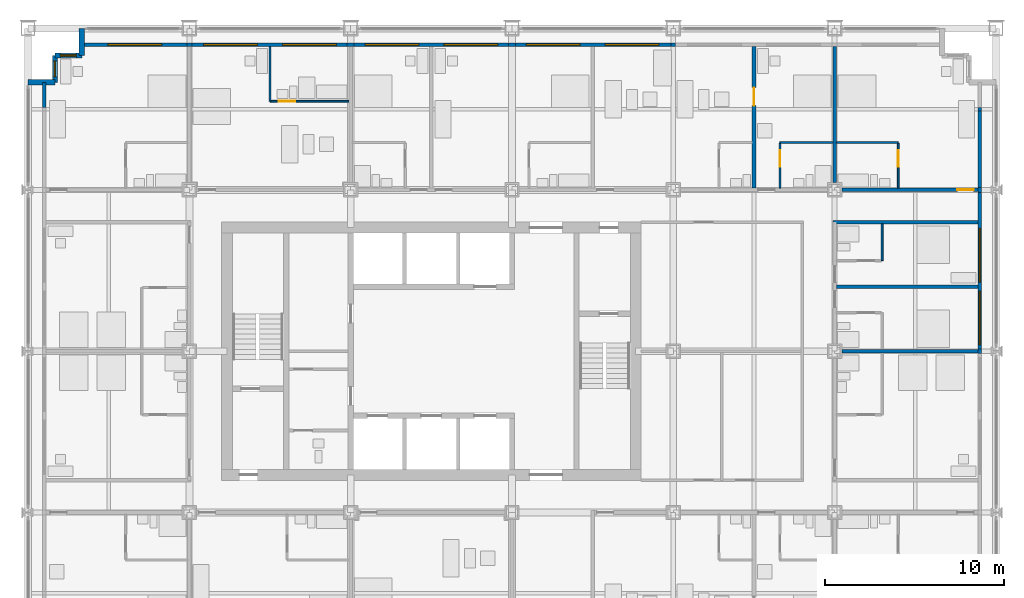
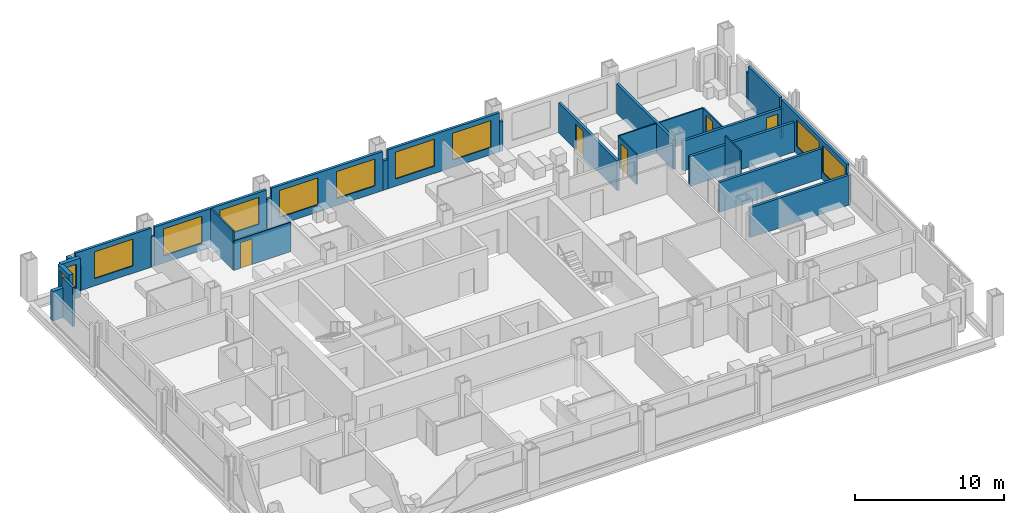
# One storey, part 14 of 18: 31 walls, 11 windows, 5 doors, 16 openings.
"""IFC4 building model written with IfcOpenShell, lengths in metres."""

from ifc_helpers import new_model, si_unit, direction, frame, frame_2d, origin, place, context, subcontext, project, spatial, rectangle, extrude, material, layer, layer_set, type_object, element, fill, save


model = new_model("IFC4")

# Units and contexts
model_context = context("Model", 3, precision=1e-05, world=origin(), true_north=direction((0.0, 1.0)))
body_context = subcontext(model_context, "Body", "Model", "MODEL_VIEW")
ifc_project = project(units=[si_unit("LENGTHUNIT", "METRE"), si_unit("AREAUNIT", "SQUARE_METRE"), si_unit("VOLUMEUNIT", "CUBIC_METRE"), si_unit("PLANEANGLEUNIT", "RADIAN"), si_unit("MASSUNIT", "GRAM", prefix="KILO")], contexts=[model_context])

# Site, building, storey
site_placement = place(None, origin())
site = spatial("IfcSite", under=ifc_project, at=site_placement, CompositionType="ELEMENT")
building_placement = place(site_placement, origin())
building = spatial("IfcBuilding", under=site, at=building_placement, Name="Loomwork Tower", CompositionType="ELEMENT")
storey_placement = place(building_placement, frame((0.0, 0.0, 79.0)))
storey = spatial("IfcBuildingStorey", under=building, at=storey_placement, Name="L20", CompositionType="ELEMENT", Elevation=79.0)

# Wall, opening, door
ifc_material_1 = material(Name="Gypsum board on steel studs, one-hour", Category="steel")
ifc_layer_1 = layer(ifc_material_1, 0.199951171875)
ifc_layer_set_1 = layer_set([ifc_layer_1], Name="Corridor wall 200")
wall_type_1 = type_object("IfcWallType", Name="Corridor wall 200", PredefinedType="PARTITIONING", material=ifc_layer_set_1)
wall_1_placement = place(storey_placement, frame((45.39990234375, 27.0, 0.0), z_axis=(0.0, 0.0, 1.0), x_axis=(1.0, 0.0, 0.0)))
wall_1 = element("IfcWall", 1, at=wall_1_placement, inside=storey, type_object=wall_type_1, Name="North corridor wall 6", PredefinedType="PARTITIONING", context=body_context, shape_type="SweptSolid", body=[
    extrude(rectangle(XDim=7.60009765625, YDim=0.199951171875, at=frame_2d((3.800048828125, 0.0))), origin(), (0.0, 0.0, 1.0), 2.43798828125),
])
opening_1_placement = place(wall_1_placement, frame((6.449951171875, 0.0, 0.0)))
opening_1 = element("IfcOpeningElement", 2, at=opening_1_placement, cuts=wall_1, Name="Opening D1", PredefinedType="OPENING", context=body_context, shape_type="SweptSolid", body=[
    extrude(rectangle(XDim=0.89990234375, YDim=2.10009765625, at=frame_2d((0.449951171875, 1.050048828125))), frame((0.0, 0.10986328125, 0.0), z_axis=(0.0, -1.0, 0.0), x_axis=(1.0, 0.0, 0.0)), (0.0, 0.0, 1.0), 0.219970703125),
])
ifc_material_2 = material(Name="Hollow metal door and frame")
door_type_1 = type_object("IfcDoorType", Name="Guest room entry door 900", OperationType="SINGLE_SWING_LEFT", PredefinedType="DOOR", material=ifc_material_2)
door_1_placement = place(opening_1_placement, origin())
door_1 = element("IfcDoor", 3, at=door_1_placement, inside=storey, type_object=door_type_1, Name="Guest room entry door L20 13", OperationType="SINGLE_SWING_RIGHT", OverallHeight=2.10009765625, OverallWidth=0.89990234375, PredefinedType="DOOR", context=body_context, shape_type="SweptSolid", body=[
    extrude(rectangle(XDim=0.89990234375, YDim=2.10009765625, at=frame_2d((0.449951171875, 1.050048828125))), frame((0.0, 0.02490234375, 0.0), z_axis=(0.0, -1.0, 0.0), x_axis=(1.0, 0.0, 0.0)), (0.0, 0.0, 1.0), 0.050048828125),
])
fill(opening_1, door_1)

# Wall
wall_2_placement = place(storey_placement, frame((44.89990234375, 25.199951171875, 0.0), z_axis=(0.0, 0.0, 1.0), x_axis=(1.0, 0.0, 0.0)))
element("IfcWall", 4, at=wall_2_placement, inside=storey, type_object=wall_type_1, Name="East band end wall N", PredefinedType="PARTITIONING", context=body_context, shape_type="SweptSolid", body=[
    extrude(rectangle(XDim=8.10009765625, YDim=0.199951171875, at=frame_2d((4.050048828125, 0.0))), origin(), (0.0, 0.0, 1.0), 2.43798828125),
])

# Wall, opening, door
ifc_material_3 = material(Name="Cement board on steel studs", Category="steel")
ifc_layer_2 = layer(ifc_material_3, 0.10009765625)
ifc_layer_set_2 = layer_set([ifc_layer_2], Name="En-suite partition 100")
wall_type_2 = type_object("IfcWallType", Name="En-suite partition 100", PredefinedType="PARTITIONING", material=ifc_layer_set_2)
wall_3_placement = place(storey_placement, frame((13.5, 31.949951171875, 0.0), z_axis=(0.0, 0.0, 1.0), x_axis=(1.0, 0.0, 0.0)))
wall_3 = element("IfcWall", 5, at=wall_3_placement, inside=storey, type_object=wall_type_2, Name="Spa bathroom wall L20 room 8", PredefinedType="PARTITIONING", context=body_context, shape_type="SweptSolid", body=[
    extrude(rectangle(XDim=4.39990234375, YDim=0.10009765625, at=frame_2d((2.199951171875, 0.0))), origin(), (0.0, 0.0, 1.0), 2.404052734375),
])
opening_2_placement = place(wall_3_placement, frame((0.5, 0.0, 0.0)))
opening_2 = element("IfcOpeningElement", 6, at=opening_2_placement, cuts=wall_3, Name="Opening D2", PredefinedType="OPENING", context=body_context, shape_type="SweptSolid", body=[
    extrude(rectangle(XDim=0.89990234375, YDim=2.10009765625, at=frame_2d((0.449951171875, 1.050048828125))), frame((0.0, 0.06005859375, 0.0), z_axis=(0.0, -1.0, 0.0), x_axis=(1.0, 0.0, 0.0)), (0.0, 0.0, 1.0), 0.1201171875),
])
ifc_material_4 = material(Name="Hollow metal door and frame")
door_type_2 = type_object("IfcDoorType", Name="En-suite door 900", OperationType="SINGLE_SWING_LEFT", PredefinedType="DOOR", material=ifc_material_4)
door_2_placement = place(opening_2_placement, origin())
door_2 = element("IfcDoor", 7, at=door_2_placement, inside=storey, type_object=door_type_2, Name="Spa bathroom door room 8", OperationType="SINGLE_SWING_LEFT", OverallHeight=2.10009765625, OverallWidth=0.89990234375, PredefinedType="DOOR", context=body_context, shape_type="SweptSolid", body=[
    extrude(rectangle(XDim=0.89990234375, YDim=2.10009765625, at=frame_2d((0.449951171875, 1.050048828125))), frame((0.0, 0.02490234375, 0.0), z_axis=(0.0, -1.0, 0.0), x_axis=(1.0, 0.0, 0.0)), (0.0, 0.0, 1.0), 0.050048828125),
])
fill(opening_2, door_2)

# Walls
wall_4_placement = place(storey_placement, frame((13.5, 31.949951171875, 0.0), z_axis=(0.0, 0.0, 1.0), x_axis=(0.0, 1.0, 0.0)))
element("IfcWall", 8, at=wall_4_placement, inside=storey, type_object=wall_type_2, Name="Spa bathroom side wall L20 room 8", PredefinedType="PARTITIONING", context=body_context, shape_type="SweptSolid", body=[
    extrude(rectangle(XDim=3.050048828125, YDim=0.10009765625, at=frame_2d((1.52490234375, 0.0))), origin(), (0.0, 0.0, 1.0), 3.199951171875),
])
wall_5_placement = place(storey_placement, frame((41.949951171875, 29.64990234375, 0.0), z_axis=(0.0, 0.0, 1.0), x_axis=(1.0, 0.0, 0.0)))
element("IfcWall", 9, at=wall_5_placement, inside=storey, type_object=wall_type_2, Name="En-suite wall L20 room 12", PredefinedType="PARTITIONING", context=body_context, shape_type="SweptSolid", body=[
    extrude(rectangle(XDim=2.949951171875, YDim=0.10009765625, at=frame_2d((1.47509765625, 0.0))), origin(), (0.0, 0.0, 1.0), 2.43798828125),
])

# Wall, opening, door
wall_6_placement = place(storey_placement, frame((41.949951171875, 27.10009765625, 0.0), z_axis=(0.0, 0.0, 1.0), x_axis=(0.0, 1.0, 0.0)))
wall_6 = element("IfcWall", 10, at=wall_6_placement, inside=storey, type_object=wall_type_2, Name="En-suite side wall L20 room 12", PredefinedType="PARTITIONING", context=body_context, shape_type="SweptSolid", body=[
    extrude(rectangle(XDim=2.5, YDim=0.10009765625, at=frame_2d((1.25, 0.0))), origin(), (0.0, 0.0, 1.0), 2.43798828125),
])
opening_3_placement = place(wall_6_placement, frame((1.199951171875, 0.0, 0.0)))
opening_3 = element("IfcOpeningElement", 11, at=opening_3_placement, cuts=wall_6, Name="Opening D2", PredefinedType="OPENING", context=body_context, shape_type="SweptSolid", body=[
    extrude(rectangle(XDim=0.89990234375, YDim=2.10009765625, at=frame_2d((0.449951171875, 1.050048828125))), frame((0.0, 0.06005859375, 0.0), z_axis=(0.0, -1.0, 0.0), x_axis=(1.0, 0.0, 0.0)), (0.0, 0.0, 1.0), 0.1201171875),
])
door_3_placement = place(opening_3_placement, frame((0.89990234375, 0.0, 0.0), z_axis=(0.0, 0.0, 1.0), x_axis=(-1.0, 0.0, 0.0)))
door_3 = element("IfcDoor", 12, at=door_3_placement, inside=storey, type_object=door_type_2, Name="En-suite door room 12", OperationType="SINGLE_SWING_LEFT", OverallHeight=2.10009765625, OverallWidth=0.89990234375, PredefinedType="DOOR", context=body_context, shape_type="SweptSolid", body=[
    extrude(rectangle(XDim=0.89990234375, YDim=2.10009765625, at=frame_2d((0.449951171875, 1.050048828125))), frame((0.0, 0.02490234375, 0.0), z_axis=(0.0, -1.0, 0.0), x_axis=(1.0, 0.0, 0.0)), (0.0, 0.0, 1.0), 0.050048828125),
])
fill(opening_3, door_3)

# Wall
wall_7_placement = place(storey_placement, frame((45.10009765625, 29.64990234375, 0.0), z_axis=(0.0, 0.0, 1.0), x_axis=(1.0, 0.0, 0.0)))
element("IfcWall", 13, at=wall_7_placement, inside=storey, type_object=wall_type_2, Name="En-suite wall L20 room 13", PredefinedType="PARTITIONING", context=body_context, shape_type="SweptSolid", body=[
    extrude(rectangle(XDim=3.449951171875, YDim=0.10009765625, at=frame_2d((1.72509765625, 0.0))), origin(), (0.0, 0.0, 1.0), 2.43798828125),
])

# Wall, opening, door
wall_8_placement = place(storey_placement, frame((48.550048828125, 27.10009765625, 0.0), z_axis=(0.0, 0.0, 1.0), x_axis=(0.0, 1.0, 0.0)))
wall_8 = element("IfcWall", 14, at=wall_8_placement, inside=storey, type_object=wall_type_2, Name="En-suite side wall L20 room 13", PredefinedType="PARTITIONING", context=body_context, shape_type="SweptSolid", body=[
    extrude(rectangle(XDim=2.5, YDim=0.10009765625, at=frame_2d((1.25, 0.0))), origin(), (0.0, 0.0, 1.0), 2.43798828125),
])
opening_4_placement = place(wall_8_placement, frame((1.199951171875, 0.0, 0.0)))
opening_4 = element("IfcOpeningElement", 15, at=opening_4_placement, cuts=wall_8, Name="Opening D2", PredefinedType="OPENING", context=body_context, shape_type="SweptSolid", body=[
    extrude(rectangle(XDim=0.89990234375, YDim=2.10009765625, at=frame_2d((0.449951171875, 1.050048828125))), frame((0.0, 0.06005859375, 0.0), z_axis=(0.0, -1.0, 0.0), x_axis=(1.0, 0.0, 0.0)), (0.0, 0.0, 1.0), 0.1201171875),
])
door_4_placement = place(opening_4_placement, origin())
door_4 = element("IfcDoor", 16, at=door_4_placement, inside=storey, type_object=door_type_2, Name="En-suite door room 13", OperationType="SINGLE_SWING_RIGHT", OverallHeight=2.10009765625, OverallWidth=0.89990234375, PredefinedType="DOOR", context=body_context, shape_type="SweptSolid", body=[
    extrude(rectangle(XDim=0.89990234375, YDim=2.10009765625, at=frame_2d((0.449951171875, 1.050048828125))), frame((0.0, 0.02490234375, 0.0), z_axis=(0.0, -1.0, 0.0), x_axis=(1.0, 0.0, 0.0)), (0.0, 0.0, 1.0), 0.050048828125),
])
fill(opening_4, door_4)

# Wall
wall_9_placement = place(storey_placement, frame((47.64990234375, 23.050048828125, 0.0), z_axis=(0.0, 0.0, 1.0), x_axis=(0.0, 1.0, 0.0)))
element("IfcWall", 17, at=wall_9_placement, inside=storey, type_object=wall_type_2, Name="En-suite wall L20 room 18", PredefinedType="PARTITIONING", context=body_context, shape_type="SweptSolid", body=[
    extrude(rectangle(XDim=2.050048828125, YDim=0.10009765625, at=frame_2d((1.02490234375, 0.0))), origin(), (0.0, 0.0, 1.0), 3.199951171875),
])

# Wall, opening, door
ifc_material_5 = material(Name="Gypsum board on steel studs, acoustic", Category="steel")
ifc_layer_3 = layer(ifc_material_5, 0.199951171875)
ifc_layer_set_3 = layer_set([ifc_layer_3], Name="Guest room party wall 200")
wall_type_3 = type_object("IfcWallType", Name="Guest room party wall 200", PredefinedType="PARTITIONING", material=ifc_layer_set_3)
wall_10_placement = place(storey_placement, frame((40.5, 27.10009765625, 0.0), z_axis=(0.0, 0.0, 1.0), x_axis=(0.0, 1.0, 0.0)))
wall_10 = element("IfcWall", 18, at=wall_10_placement, inside=storey, type_object=wall_type_3, Name="Guest room party wall N 40.5", PredefinedType="PARTITIONING", context=body_context, shape_type="SweptSolid", body=[
    extrude(rectangle(XDim=7.89990234375, YDim=0.199951171875, at=frame_2d((3.949951171875, 0.0))), origin(), (0.0, 0.0, 1.0), 2.43798828125),
])
opening_5_placement = place(wall_10_placement, frame((4.60009765625, 0.0, 0.0)))
opening_5 = element("IfcOpeningElement", 19, at=opening_5_placement, cuts=wall_10, Name="Opening D7", PredefinedType="OPENING", context=body_context, shape_type="SweptSolid", body=[
    extrude(rectangle(XDim=1.0, YDim=2.10009765625, at=frame_2d((0.5, 1.050048828125))), frame((0.0, 0.10986328125, 0.0), z_axis=(0.0, -1.0, 0.0), x_axis=(1.0, 0.0, 0.0)), (0.0, 0.0, 1.0), 0.219970703125),
])
ifc_material_6 = material(Name="Hollow metal door and frame")
door_type_3 = type_object("IfcDoorType", Name="Room door 1000", OperationType="SINGLE_SWING_LEFT", PredefinedType="DOOR", material=ifc_material_6)
door_5_placement = place(opening_5_placement, frame((1.0, 0.0, 0.0), z_axis=(0.0, 0.0, 1.0), x_axis=(-1.0, 0.0, 0.0)))
door_5 = element("IfcDoor", 20, at=door_5_placement, inside=storey, type_object=door_type_3, Name="Suite connecting door L20 N 40.5", OperationType="SINGLE_SWING_RIGHT", OverallHeight=2.10009765625, OverallWidth=1.0, PredefinedType="DOOR", context=body_context, shape_type="SweptSolid", body=[
    extrude(rectangle(XDim=1.0, YDim=2.10009765625, at=frame_2d((0.5, 1.050048828125))), frame((0.0, 0.02490234375, 0.0), z_axis=(0.0, -1.0, 0.0), x_axis=(1.0, 0.0, 0.0)), (0.0, 0.0, 1.0), 0.050048828125),
])
fill(opening_5, door_5)

# Walls
for number, where, z_axis, x_axis, name in (
    (21, (45.0, 27.39990234375, 0.0), (0.0, 0.0, 1.0), (0.0, 1.0, 0.0), "Guest room party wall N 45"),
    (22, (45.39990234375, 18.0, 0.0), (0.0, 0.0, 1.0), (1.0, 0.0, 0.0), "Guest room party wall E 18"),
):
    element("IfcWall", number, at=place(storey_placement, frame(where, z_axis=z_axis, x_axis=x_axis)), inside=storey, type_object=wall_type_3, Name=name, PredefinedType="PARTITIONING", context=body_context, shape_type="SweptSolid", body=[
        extrude(rectangle(XDim=7.60009765625, YDim=0.199951171875, at=frame_2d((3.800048828125, 0.0))), origin(), (0.0, 0.0, 1.0), 2.43798828125),
    ])
wall_11_placement = place(storey_placement, frame((45.10009765625, 21.60009765625, 0.0), z_axis=(0.0, 0.0, 1.0), x_axis=(1.0, 0.0, 0.0)))
element("IfcWall", 23, at=wall_11_placement, inside=storey, type_object=wall_type_3, Name="Guest room party wall E 21.6", PredefinedType="PARTITIONING", context=body_context, shape_type="SweptSolid", body=[
    extrude(rectangle(XDim=7.89990234375, YDim=0.199951171875, at=frame_2d((3.949951171875, 0.0))), origin(), (0.0, 0.0, 1.0), 2.43798828125),
])

# Wall, opening, window
ifc_material_7 = material(Name="Insulated steel stud wall with gypsum lining", Category="steel")
ifc_layer_4 = layer(ifc_material_7, 0.199951171875)
ifc_layer_set_4 = layer_set([ifc_layer_4], Name="Inner skin wall 200")
wall_type_4 = type_object("IfcWallType", Name="Inner skin wall 200", PredefinedType="SOLIDWALL", material=ifc_layer_set_4)
wall_12_placement = place(storey_placement, frame((3.0, 35.10009765625, 0.0), z_axis=(0.0, 0.0, 1.0), x_axis=(1.0, 0.0, 0.0)))
wall_12 = element("IfcWall", 24, at=wall_12_placement, inside=storey, type_object=wall_type_4, Name="Inner skin wall N", PredefinedType="SOLIDWALL", context=body_context, shape_type="SweptSolid", body=[
    extrude(rectangle(XDim=5.86474609375, YDim=0.199951171875, at=frame_2d((2.932373046875, 0.0))), origin(), (0.0, 0.0, 1.0), 3.199951171875),
])
opening_6_placement = place(wall_12_placement, frame((1.449951171875, 0.0, 0.60009765625)))
opening_6 = element("IfcOpeningElement", 25, at=opening_6_placement, cuts=wall_12, Name="Opening CH1", PredefinedType="OPENING", context=body_context, shape_type="SweptSolid", body=[
    extrude(rectangle(XDim=3.0, YDim=2.199951171875, at=frame_2d((1.5, 1.10009765625))), frame((0.0, 0.10986328125, 0.0), z_axis=(0.0, -1.0, 0.0), x_axis=(1.0, 0.0, 0.0)), (0.0, 0.0, 1.0), 0.219970703125),
])
ifc_material_8 = material(Name="Aluminium frame with clear insulated glass", Category="aluminium")
window_type_1 = type_object("IfcWindowType", Name="Chicago window 3000", PartitioningType="TRIPLE_PANEL_VERTICAL", PredefinedType="WINDOW", material=ifc_material_8)
window_1_placement = place(opening_6_placement, origin())
window_1 = element("IfcWindow", 26, at=window_1_placement, inside=storey, type_object=window_type_1, Name="Chicago window L20 bay 7", OverallHeight=2.199951171875, OverallWidth=3.0, PartitioningType="TRIPLE_PANEL_VERTICAL", PredefinedType="WINDOW", context=body_context, shape_type="SweptSolid", body=[
    extrude(rectangle(XDim=3.0, YDim=2.199951171875, at=frame_2d((1.5, 1.10009765625))), frame((0.0, 0.030029296875, 0.0), z_axis=(0.0, -1.0, 0.0), x_axis=(1.0, 0.0, 0.0)), (0.0, 0.0, 1.0), 0.06005859375),
])
fill(opening_6, window_1)

# Walls
wall_13_placement = place(storey_placement, frame((0.89990234375, 31.607421875, 0.0), z_axis=(0.0, 0.0, 1.0), x_axis=(0.0, 1.0, 0.0)))
element("IfcWall", 27, at=wall_13_placement, inside=storey, type_object=wall_type_4, Name="Inner skin wall W bay 11", PredefinedType="SOLIDWALL", context=body_context, shape_type="SweptSolid", body=[
    extrude(rectangle(XDim=1.392578125, YDim=0.199951171875, at=frame_2d((0.6962890625, 0.0))), origin(), (0.0, 0.0, 1.0), 3.199951171875),
])
wall_14_placement = place(storey_placement, frame((8.86474609375, 35.10009765625, 0.0), z_axis=(0.0, 0.0, 1.0), x_axis=(1.0, 0.0, 0.0)))
element("IfcWall", 28, at=wall_14_placement, inside=storey, type_object=wall_type_4, Name="Inner skin wall N bay 2", PredefinedType="SOLIDWALL", context=body_context, shape_type="SweptSolid", body=[
    extrude(rectangle(XDim=0.2705078125, YDim=0.199951171875, at=frame_2d((0.13525390625, 0.0))), origin(), (0.0, 0.0, 1.0), 2.43798828125),
])

# Wall, openings, windows
wall_15_placement = place(storey_placement, frame((9.13525390625, 35.10009765625, 0.0), z_axis=(0.0, 0.0, 1.0), x_axis=(1.0, 0.0, 0.0)))
wall_15 = element("IfcWall", 29, at=wall_15_placement, inside=storey, type_object=wall_type_4, Name="Inner skin wall N bay 3", PredefinedType="SOLIDWALL", context=body_context, shape_type="SweptSolid", body=[
    extrude(rectangle(XDim=8.6708984375, YDim=0.199951171875, at=frame_2d((4.33544921875, 0.0))), origin(), (0.0, 0.0, 1.0), 3.199951171875),
])
opening_7_placement = place(wall_15_placement, frame((0.664794921875, 0.0, 0.60009765625)))
opening_7 = element("IfcOpeningElement", 30, at=opening_7_placement, cuts=wall_15, Name="Opening CH1", PredefinedType="OPENING", context=body_context, shape_type="SweptSolid", body=[
    extrude(rectangle(XDim=3.0, YDim=2.199951171875, at=frame_2d((1.5, 1.10009765625))), frame((0.0, 0.10986328125, 0.0), z_axis=(0.0, -1.0, 0.0), x_axis=(1.0, 0.0, 0.0)), (0.0, 0.0, 1.0), 0.219970703125),
])
opening_8_placement = place(wall_15_placement, frame((5.064697265625, 0.0, 0.60009765625)))
opening_8 = element("IfcOpeningElement", 31, at=opening_8_placement, cuts=wall_15, Name="Opening CH1", PredefinedType="OPENING", context=body_context, shape_type="SweptSolid", body=[
    extrude(rectangle(XDim=3.0, YDim=2.199951171875, at=frame_2d((1.5, 1.10009765625))), frame((0.0, 0.10986328125, 0.0), z_axis=(0.0, -1.0, 0.0), x_axis=(1.0, 0.0, 0.0)), (0.0, 0.0, 1.0), 0.219970703125),
])
window_2_placement = place(opening_7_placement, origin())
window_2 = element("IfcWindow", 32, at=window_2_placement, inside=storey, type_object=window_type_1, Name="Chicago window L20 bay 8", OverallHeight=2.199951171875, OverallWidth=3.0, PartitioningType="TRIPLE_PANEL_VERTICAL", PredefinedType="WINDOW", context=body_context, shape_type="SweptSolid", body=[
    extrude(rectangle(XDim=3.0, YDim=2.199951171875, at=frame_2d((1.5, 1.10009765625))), frame((0.0, 0.030029296875, 0.0), z_axis=(0.0, -1.0, 0.0), x_axis=(1.0, 0.0, 0.0)), (0.0, 0.0, 1.0), 0.06005859375),
])
fill(opening_7, window_2)
window_3_placement = place(opening_8_placement, origin())
window_3 = element("IfcWindow", 33, at=window_3_placement, inside=storey, type_object=window_type_1, Name="Chicago window L20 bay 8", OverallHeight=2.199951171875, OverallWidth=3.0, PartitioningType="TRIPLE_PANEL_VERTICAL", PredefinedType="WINDOW", context=body_context, shape_type="SweptSolid", body=[
    extrude(rectangle(XDim=3.0, YDim=2.199951171875, at=frame_2d((1.5, 1.10009765625))), frame((0.0, 0.030029296875, 0.0), z_axis=(0.0, -1.0, 0.0), x_axis=(1.0, 0.0, 0.0)), (0.0, 0.0, 1.0), 0.06005859375),
])
fill(opening_8, window_3)

# Wall
wall_16_placement = place(storey_placement, frame((17.80615234375, 35.10009765625, 0.0), z_axis=(0.0, 0.0, 1.0), x_axis=(1.0, 0.0, 0.0)))
element("IfcWall", 34, at=wall_16_placement, inside=storey, type_object=wall_type_4, Name="Inner skin wall N bay 4", PredefinedType="SOLIDWALL", context=body_context, shape_type="SweptSolid", body=[
    extrude(rectangle(XDim=0.3876953125, YDim=0.199951171875, at=frame_2d((0.19384765625, 0.0))), origin(), (0.0, 0.0, 1.0), 2.404052734375),
])

# Wall, openings, windows
wall_17_placement = place(storey_placement, frame((18.19384765625, 35.10009765625, 0.0), z_axis=(0.0, 0.0, 1.0), x_axis=(1.0, 0.0, 0.0)))
wall_17 = element("IfcWall", 35, at=wall_17_placement, inside=storey, type_object=wall_type_4, Name="Inner skin wall N bay 5", PredefinedType="SOLIDWALL", context=body_context, shape_type="SweptSolid", body=[
    extrude(rectangle(XDim=8.6123046875, YDim=0.199951171875, at=frame_2d((4.30615234375, 0.0))), origin(), (0.0, 0.0, 1.0), 3.199951171875),
])
opening_9_placement = place(wall_17_placement, frame((0.606201171875, 0.0, 0.60009765625)))
opening_9 = element("IfcOpeningElement", 36, at=opening_9_placement, cuts=wall_17, Name="Opening CH1", PredefinedType="OPENING", context=body_context, shape_type="SweptSolid", body=[
    extrude(rectangle(XDim=3.0, YDim=2.199951171875, at=frame_2d((1.5, 1.10009765625))), frame((0.0, 0.10986328125, 0.0), z_axis=(0.0, -1.0, 0.0), x_axis=(1.0, 0.0, 0.0)), (0.0, 0.0, 1.0), 0.219970703125),
])
opening_10_placement = place(wall_17_placement, frame((5.006103515625, 0.0, 0.60009765625)))
opening_10 = element("IfcOpeningElement", 37, at=opening_10_placement, cuts=wall_17, Name="Opening CH1", PredefinedType="OPENING", context=body_context, shape_type="SweptSolid", body=[
    extrude(rectangle(XDim=3.0, YDim=2.199951171875, at=frame_2d((1.5, 1.10009765625))), frame((0.0, 0.10986328125, 0.0), z_axis=(0.0, -1.0, 0.0), x_axis=(1.0, 0.0, 0.0)), (0.0, 0.0, 1.0), 0.219970703125),
])
window_4_placement = place(opening_9_placement, origin())
window_4 = element("IfcWindow", 38, at=window_4_placement, inside=storey, type_object=window_type_1, Name="Chicago window L20 bay 9", OverallHeight=2.199951171875, OverallWidth=3.0, PartitioningType="TRIPLE_PANEL_VERTICAL", PredefinedType="WINDOW", context=body_context, shape_type="SweptSolid", body=[
    extrude(rectangle(XDim=3.0, YDim=2.199951171875, at=frame_2d((1.5, 1.10009765625))), frame((0.0, 0.030029296875, 0.0), z_axis=(0.0, -1.0, 0.0), x_axis=(1.0, 0.0, 0.0)), (0.0, 0.0, 1.0), 0.06005859375),
])
fill(opening_9, window_4)
window_5_placement = place(opening_10_placement, origin())
window_5 = element("IfcWindow", 39, at=window_5_placement, inside=storey, type_object=window_type_1, Name="Chicago window L20 bay 9", OverallHeight=2.199951171875, OverallWidth=3.0, PartitioningType="TRIPLE_PANEL_VERTICAL", PredefinedType="WINDOW", context=body_context, shape_type="SweptSolid", body=[
    extrude(rectangle(XDim=3.0, YDim=2.199951171875, at=frame_2d((1.5, 1.10009765625))), frame((0.0, 0.030029296875, 0.0), z_axis=(0.0, -1.0, 0.0), x_axis=(1.0, 0.0, 0.0)), (0.0, 0.0, 1.0), 0.06005859375),
])
fill(opening_10, window_5)

# Wall
wall_18_placement = place(storey_placement, frame((26.80615234375, 35.10009765625, 0.0), z_axis=(0.0, 0.0, 1.0), x_axis=(1.0, 0.0, 0.0)))
element("IfcWall", 40, at=wall_18_placement, inside=storey, type_object=wall_type_4, Name="Inner skin wall N bay 6", PredefinedType="SOLIDWALL", context=body_context, shape_type="SweptSolid", body=[
    extrude(rectangle(XDim=0.3876953125, YDim=0.199951171875, at=frame_2d((0.19384765625, 0.0))), origin(), (0.0, 0.0, 1.0), 2.404052734375),
])

# Wall, openings, windows
wall_19_placement = place(storey_placement, frame((27.19384765625, 35.10009765625, 0.0), z_axis=(0.0, 0.0, 1.0), x_axis=(1.0, 0.0, 0.0)))
wall_19 = element("IfcWall", 41, at=wall_19_placement, inside=storey, type_object=wall_type_4, Name="Inner skin wall N bay 7", PredefinedType="SOLIDWALL", context=body_context, shape_type="SweptSolid", body=[
    extrude(rectangle(XDim=8.670654296875, YDim=0.199951171875, at=frame_2d((4.33544921875, 0.0))), origin(), (0.0, 0.0, 1.0), 3.199951171875),
])
opening_11_placement = place(wall_19_placement, frame((0.606201171875, 0.0, 0.60009765625)))
opening_11 = element("IfcOpeningElement", 42, at=opening_11_placement, cuts=wall_19, Name="Opening CH1", PredefinedType="OPENING", context=body_context, shape_type="SweptSolid", body=[
    extrude(rectangle(XDim=3.0, YDim=2.199951171875, at=frame_2d((1.5, 1.10009765625))), frame((0.0, 0.10986328125, 0.0), z_axis=(0.0, -1.0, 0.0), x_axis=(1.0, 0.0, 0.0)), (0.0, 0.0, 1.0), 0.219970703125),
])
opening_12_placement = place(wall_19_placement, frame((5.006103515625, 0.0, 0.60009765625)))
opening_12 = element("IfcOpeningElement", 43, at=opening_12_placement, cuts=wall_19, Name="Opening CH1", PredefinedType="OPENING", context=body_context, shape_type="SweptSolid", body=[
    extrude(rectangle(XDim=3.0, YDim=2.199951171875, at=frame_2d((1.5, 1.10009765625))), frame((0.0, 0.10986328125, 0.0), z_axis=(0.0, -1.0, 0.0), x_axis=(1.0, 0.0, 0.0)), (0.0, 0.0, 1.0), 0.219970703125),
])
window_6_placement = place(opening_11_placement, origin())
window_6 = element("IfcWindow", 44, at=window_6_placement, inside=storey, type_object=window_type_1, Name="Chicago window L20 bay 10", OverallHeight=2.199951171875, OverallWidth=3.0, PartitioningType="TRIPLE_PANEL_VERTICAL", PredefinedType="WINDOW", context=body_context, shape_type="SweptSolid", body=[
    extrude(rectangle(XDim=3.0, YDim=2.199951171875, at=frame_2d((1.5, 1.10009765625))), frame((0.0, 0.030029296875, 0.0), z_axis=(0.0, -1.0, 0.0), x_axis=(1.0, 0.0, 0.0)), (0.0, 0.0, 1.0), 0.06005859375),
])
fill(opening_11, window_6)
window_7_placement = place(opening_12_placement, origin())
window_7 = element("IfcWindow", 45, at=window_7_placement, inside=storey, type_object=window_type_1, Name="Chicago window L20 bay 10", OverallHeight=2.199951171875, OverallWidth=3.0, PartitioningType="TRIPLE_PANEL_VERTICAL", PredefinedType="WINDOW", context=body_context, shape_type="SweptSolid", body=[
    extrude(rectangle(XDim=3.0, YDim=2.199951171875, at=frame_2d((1.5, 1.10009765625))), frame((0.0, 0.030029296875, 0.0), z_axis=(0.0, -1.0, 0.0), x_axis=(1.0, 0.0, 0.0)), (0.0, 0.0, 1.0), 0.06005859375),
])
fill(opening_12, window_7)

# Walls
for number, where, z_axis, x_axis, name in (
    (46, (35.864501953125, 35.10009765625, 0.0), (0.0, 0.0, 1.0), (1.0, 0.0, 0.0), "Inner skin wall N bay 8"),
    (47, (53.10009765625, 17.864501953125, 0.0), (0.0, 0.0, 1.0), (0.0, 1.0, 0.0), "Inner skin wall E bay 6"),
):
    element("IfcWall", number, at=place(storey_placement, frame(where, z_axis=z_axis, x_axis=x_axis)), inside=storey, type_object=wall_type_4, Name=name, PredefinedType="SOLIDWALL", context=body_context, shape_type="SweptSolid", body=[
        extrude(rectangle(XDim=0.27099609375, YDim=0.199951171875, at=frame_2d((0.135498046875, 0.0))), origin(), (0.0, 0.0, 1.0), 2.43798828125),
    ])

# Wall, openings, windows
wall_20_placement = place(storey_placement, frame((53.10009765625, 18.135498046875, 0.0), z_axis=(0.0, 0.0, 1.0), x_axis=(0.0, 1.0, 0.0)))
wall_20 = element("IfcWall", 48, at=wall_20_placement, inside=storey, type_object=wall_type_4, Name="Inner skin wall E bay 7", PredefinedType="SOLIDWALL", context=body_context, shape_type="SweptSolid", body=[
    extrude(rectangle(XDim=8.729248046875, YDim=0.199951171875, at=frame_2d((4.36474609375, 0.0))), origin(), (0.0, 0.0, 1.0), 3.199951171875),
])
opening_13_placement = place(wall_20_placement, frame((0.214599609375, 0.0, 0.60009765625)))
opening_13 = element("IfcOpeningElement", 49, at=opening_13_placement, cuts=wall_20, Name="Opening CH1", PredefinedType="OPENING", context=body_context, shape_type="SweptSolid", body=[
    extrude(rectangle(XDim=3.0, YDim=2.199951171875, at=frame_2d((1.5, 1.10009765625))), frame((0.0, 0.10986328125, 0.0), z_axis=(0.0, -1.0, 0.0), x_axis=(1.0, 0.0, 0.0)), (0.0, 0.0, 1.0), 0.219970703125),
])
opening_14_placement = place(wall_20_placement, frame((3.714599609375, 0.0, 0.60009765625)))
opening_14 = element("IfcOpeningElement", 50, at=opening_14_placement, cuts=wall_20, Name="Opening CH1", PredefinedType="OPENING", context=body_context, shape_type="SweptSolid", body=[
    extrude(rectangle(XDim=3.0, YDim=2.199951171875, at=frame_2d((1.5, 1.10009765625))), frame((0.0, 0.10986328125, 0.0), z_axis=(0.0, -1.0, 0.0), x_axis=(1.0, 0.0, 0.0)), (0.0, 0.0, 1.0), 0.219970703125),
])
window_8_placement = place(opening_13_placement, origin())
window_8 = element("IfcWindow", 51, at=window_8_placement, inside=storey, type_object=window_type_1, Name="Chicago window L20 bay 16", OverallHeight=2.199951171875, OverallWidth=3.0, PartitioningType="TRIPLE_PANEL_VERTICAL", PredefinedType="WINDOW", context=body_context, shape_type="SweptSolid", body=[
    extrude(rectangle(XDim=3.0, YDim=2.199951171875, at=frame_2d((1.5, 1.10009765625))), frame((0.0, 0.030029296875, 0.0), z_axis=(0.0, -1.0, 0.0), x_axis=(1.0, 0.0, 0.0)), (0.0, 0.0, 1.0), 0.06005859375),
])
fill(opening_13, window_8)
window_9_placement = place(opening_14_placement, origin())
window_9 = element("IfcWindow", 52, at=window_9_placement, inside=storey, type_object=window_type_1, Name="Chicago window L20 bay 16", OverallHeight=2.199951171875, OverallWidth=3.0, PartitioningType="TRIPLE_PANEL_VERTICAL", PredefinedType="WINDOW", context=body_context, shape_type="SweptSolid", body=[
    extrude(rectangle(XDim=3.0, YDim=2.199951171875, at=frame_2d((1.5, 1.10009765625))), frame((0.0, 0.030029296875, 0.0), z_axis=(0.0, -1.0, 0.0), x_axis=(1.0, 0.0, 0.0)), (0.0, 0.0, 1.0), 0.06005859375),
])
fill(opening_14, window_9)

# Walls
wall_21_placement = place(storey_placement, frame((53.10009765625, 26.86474609375, 0.0), z_axis=(0.0, 0.0, 1.0), x_axis=(0.0, 1.0, 0.0)))
element("IfcWall", 53, at=wall_21_placement, inside=storey, type_object=wall_type_4, Name="Inner skin wall E bay 8", PredefinedType="SOLIDWALL", context=body_context, shape_type="SweptSolid", body=[
    extrude(rectangle(XDim=0.2705078125, YDim=0.199951171875, at=frame_2d((0.13525390625, 0.0))), origin(), (0.0, 0.0, 1.0), 2.43798828125),
])
wall_22_placement = place(storey_placement, frame((53.10009765625, 27.13525390625, 0.0), z_axis=(0.0, 0.0, 1.0), x_axis=(0.0, 1.0, 0.0)))
element("IfcWall", 54, at=wall_22_placement, inside=storey, type_object=wall_type_4, Name="Inner skin wall E bay 9", PredefinedType="SOLIDWALL", context=body_context, shape_type="SweptSolid", body=[
    extrude(rectangle(XDim=4.25732421875, YDim=0.199951171875, at=frame_2d((2.128662109375, 0.0))), origin(), (0.0, 0.0, 1.0), 3.199951171875),
])
wall_23_placement = place(storey_placement, frame((53.10009765625, 31.392578125, 0.0), z_axis=(0.0, 0.0, 1.0), x_axis=(0.0, 1.0, 0.0)))
element("IfcWall", 55, at=wall_23_placement, inside=storey, type_object=wall_type_4, Name="Inner skin wall E bay 10", PredefinedType="SOLIDWALL", context=body_context, shape_type="SweptSolid", body=[
    extrude(rectangle(XDim=0.21484375, YDim=0.199951171875, at=frame_2d((0.107421875, 0.0))), origin(), (0.0, 0.0, 1.0), 2.660888671875),
])
ifc_material_9 = material(Name="Limestone on concrete masonry", Category="masonry")
ifc_layer_5 = layer(ifc_material_9, 0.300048828125)
ifc_layer_set_5 = layer_set([ifc_layer_5], Name="Limestone corner wall 300")
wall_type_5 = type_object("IfcWallType", Name="Limestone corner wall 300", PredefinedType="SOLIDWALL", material=ifc_layer_set_5)
wall_24_placement = place(storey_placement, frame((3.0, 36.0, 0.0), z_axis=(0.0, 0.0, 1.0), x_axis=(0.0, -1.0, 0.0)))
element("IfcWall", 56, at=wall_24_placement, inside=storey, type_object=wall_type_5, Name="Stone corner wall NW 1", PredefinedType="SOLIDWALL", context=body_context, shape_type="SweptSolid", body=[
    extrude(rectangle(XDim=1.5, YDim=0.300048828125, at=frame_2d((0.75, 0.0))), origin(), (0.0, 0.0, 1.0), 2.419921875),
])

# Wall, opening, window
wall_25_placement = place(storey_placement, frame((3.0, 34.5, 0.0), z_axis=(0.0, 0.0, 1.0), x_axis=(-1.0, 0.0, 0.0)))
wall_25 = element("IfcWall", 57, at=wall_25_placement, inside=storey, type_object=wall_type_5, Name="Stone corner wall NW 2", PredefinedType="SOLIDWALL", context=body_context, shape_type="SweptSolid", body=[
    extrude(rectangle(XDim=1.5, YDim=0.300048828125, at=frame_2d((0.75, 0.0))), origin(), (0.0, 0.0, 1.0), 3.199951171875),
])
opening_15_placement = place(wall_25_placement, frame((0.300048828125, 0.0, 0.60009765625)))
opening_15 = element("IfcOpeningElement", 58, at=opening_15_placement, cuts=wall_25, Name="Opening CH2", PredefinedType="OPENING", context=body_context, shape_type="SweptSolid", body=[
    extrude(rectangle(XDim=0.89990234375, YDim=2.199951171875, at=frame_2d((0.449951171875, 1.10009765625))), frame((0.0, 0.159912109375, 0.0), z_axis=(0.0, -1.0, 0.0), x_axis=(1.0, 0.0, 0.0)), (0.0, 0.0, 1.0), 0.320068359375),
])
ifc_material_10 = material(Name="Aluminium frame with clear insulated glass", Category="aluminium")
window_type_2 = type_object("IfcWindowType", Name="Corner window 900", PartitioningType="SINGLE_PANEL", PredefinedType="WINDOW", material=ifc_material_10)
window_10_placement = place(opening_15_placement, origin())
window_10 = element("IfcWindow", 59, at=window_10_placement, inside=storey, type_object=window_type_2, Name="Corner window NW", OverallHeight=2.199951171875, OverallWidth=0.89990234375, PartitioningType="SINGLE_PANEL", PredefinedType="WINDOW", context=body_context, shape_type="SweptSolid", body=[
    extrude(rectangle(XDim=0.89990234375, YDim=2.199951171875, at=frame_2d((0.449951171875, 1.10009765625))), frame((0.0, 0.030029296875, 0.0), z_axis=(0.0, -1.0, 0.0), x_axis=(1.0, 0.0, 0.0)), (0.0, 0.0, 1.0), 0.06005859375),
])
fill(opening_15, window_10)

wall_26_placement = place(storey_placement, frame((1.5, 34.5, 0.0), z_axis=(0.0, 0.0, 1.0), x_axis=(0.0, -1.0, 0.0)))
wall_26 = element("IfcWall", 60, at=wall_26_placement, inside=storey, type_object=wall_type_5, Name="Stone corner wall NW 3", PredefinedType="SOLIDWALL", context=body_context, shape_type="SweptSolid", body=[
    extrude(rectangle(XDim=1.5, YDim=0.300048828125, at=frame_2d((0.75, 0.0))), origin(), (0.0, 0.0, 1.0), 3.199951171875),
])
opening_16_placement = place(wall_26_placement, frame((0.300048828125, 0.0, 0.60009765625)))
opening_16 = element("IfcOpeningElement", 61, at=opening_16_placement, cuts=wall_26, Name="Opening CH2", PredefinedType="OPENING", context=body_context, shape_type="SweptSolid", body=[
    extrude(rectangle(XDim=0.89990234375, YDim=2.199951171875, at=frame_2d((0.449951171875, 1.10009765625))), frame((0.0, 0.159912109375, 0.0), z_axis=(0.0, -1.0, 0.0), x_axis=(1.0, 0.0, 0.0)), (0.0, 0.0, 1.0), 0.320068359375),
])
window_11_placement = place(opening_16_placement, origin())
window_11 = element("IfcWindow", 62, at=window_11_placement, inside=storey, type_object=window_type_2, Name="Corner window NW", OverallHeight=2.199951171875, OverallWidth=0.89990234375, PartitioningType="SINGLE_PANEL", PredefinedType="WINDOW", context=body_context, shape_type="SweptSolid", body=[
    extrude(rectangle(XDim=0.89990234375, YDim=2.199951171875, at=frame_2d((0.449951171875, 1.10009765625))), frame((0.0, 0.030029296875, 0.0), z_axis=(0.0, -1.0, 0.0), x_axis=(1.0, 0.0, 0.0)), (0.0, 0.0, 1.0), 0.06005859375),
])
fill(opening_16, window_11)

# Wall
wall_27_placement = place(storey_placement, frame((1.5, 33.0, 0.0), z_axis=(0.0, 0.0, 1.0), x_axis=(-1.0, 0.0, 0.0)))
element("IfcWall", 63, at=wall_27_placement, inside=storey, type_object=wall_type_5, Name="Stone corner wall NW 4", PredefinedType="SOLIDWALL", context=body_context, shape_type="SweptSolid", body=[
    extrude(rectangle(XDim=1.5, YDim=0.300048828125, at=frame_2d((0.75, 0.0))), origin(), (0.0, 0.0, 1.0), 2.419921875),
])

save(model, "model.ifc")
